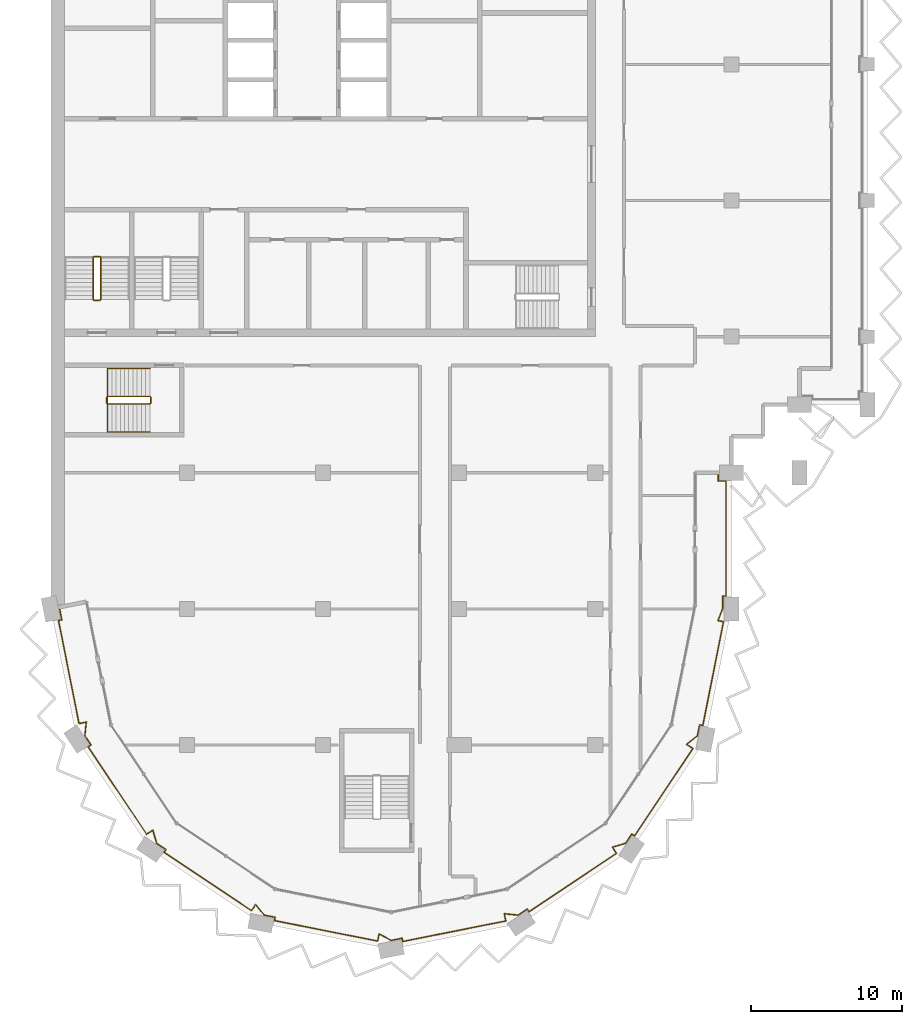
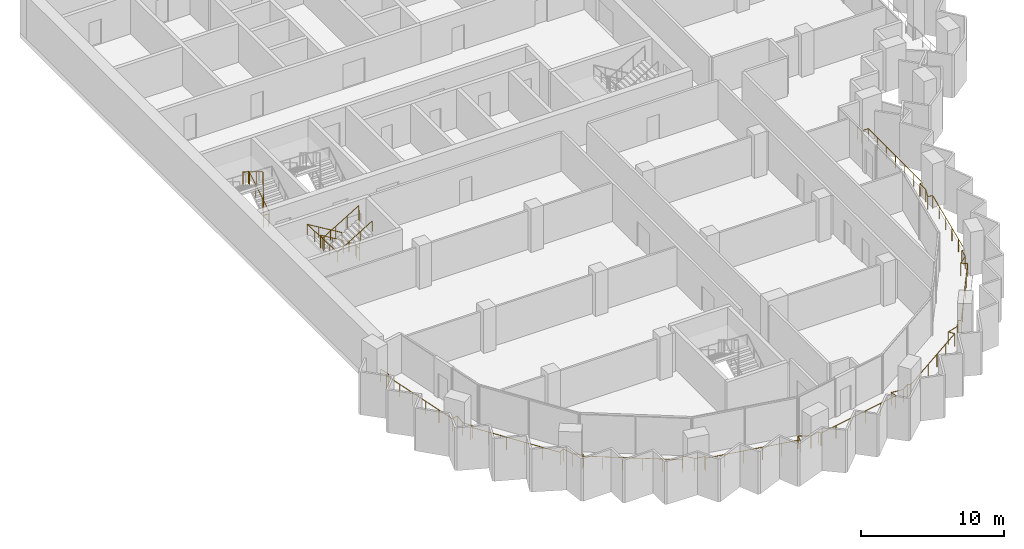
# One storey, part 13 of 15: 4 railings.
"""IFC4 building model written with IfcOpenShell, lengths in metres."""

from ifc_helpers import new_model, si_unit, direction, frame, origin, origin_2d, place, context, subcontext, project, spatial, circle, extrude, material, type_object, element, save


model = new_model("IFC4")

# Units and contexts
model_context = context("Model", 3, precision=1e-05, world=origin(), true_north=direction((0.0, 1.0)))
body_context = subcontext(model_context, "Body", "Model", "MODEL_VIEW")
ifc_project = project(units=[si_unit("LENGTHUNIT", "METRE"), si_unit("AREAUNIT", "SQUARE_METRE"), si_unit("VOLUMEUNIT", "CUBIC_METRE"), si_unit("PLANEANGLEUNIT", "RADIAN"), si_unit("MASSUNIT", "GRAM", prefix="KILO")], contexts=[model_context])

# Site, building, storey
site_placement = place(None, origin())
site = spatial("IfcSite", under=ifc_project, at=site_placement, CompositionType="ELEMENT")
building_placement = place(site_placement, origin())
building = spatial("IfcBuilding", under=site, at=building_placement, Name="Hunhe Ridgeline Campus", CompositionType="ELEMENT")
storey_placement = place(building_placement, frame((0.0, 0.0, 231.800048828125)))
storey = spatial("IfcBuildingStorey", under=building, at=storey_placement, Name="L59", CompositionType="ELEMENT", Elevation=231.800048828125)

# Railings
ifc_material_1 = material(Name="Steel Q355", Category="steel")
railing_type_1 = type_object("IfcRailingType", Name="Loggia guard 1100 Steel Q355", PredefinedType="GUARDRAIL", material=ifc_material_1)
railing_1_placement = place(storey_placement, frame((0.55908203125, 45.111083984375, 0.0)))
element("IfcRailing", 1, at=railing_1_placement, inside=storey, type_object=railing_type_1, Name="Loggia guard 1", PredefinedType="GUARDRAIL", context=body_context, shape_type="SweptSolid", body=[
    extrude(circle(Radius=0.02392578125, at=origin_2d()), frame((0.0, 0.0, 1.076171875), z_axis=(0.195066328581, -0.980790052689, 0.0), x_axis=(0.980790052689, 0.195066328581, 0.0)), (0.0, 0.0, 1.0), 0.849853515625),
    extrude(circle(Radius=0.02392578125, at=origin_2d()), frame((0.165771484375, -0.83349609375, 1.076171875), z_axis=(-0.980750988442, -0.195262640233, 0.0), x_axis=(0.195262640233, -0.980750988442, 0.0)), (0.0, 0.0, 1.0), 0.219970703125),
    extrude(circle(Radius=0.02392578125, at=origin_2d()), frame((-0.050048828125, -0.87646484375, 1.076171875), z_axis=(0.1951025318, -0.980782851647, 0.0), x_axis=(0.980782851647, 0.1951025318, 0.0)), (0.0, 0.0, 1.0), 6.94873046875),
    extrude(circle(Radius=0.02392578125, at=origin_2d()), frame((1.3056640625, -7.691650390625, 1.076171875), z_axis=(0.980791706313, 0.195058014004, 0.0), x_axis=(-0.195058014004, 0.980791706313, 0.0)), (0.0, 0.0, 1.0), 0.488037109375),
    extrude(circle(Radius=0.02392578125, at=origin_2d()), frame((1.784423828125, -7.596435546875, 1.076171875), z_axis=(-0.103312201106, -0.994648977832, 0.0), x_axis=(0.994648977832, -0.103312201106, 0.0)), (0.0, 0.0, 1.0), 0.907470703125),
    extrude(circle(Radius=0.02392578125, at=origin_2d()), frame((1.690673828125, -8.4990234375, 1.076171875), z_axis=(0.555464783965, -0.831540061437, 0.0), x_axis=(0.831540061437, 0.555464783965, 0.0)), (0.0, 0.0, 1.0), 0.736572265625),
    extrude(circle(Radius=0.02392578125, at=origin_2d()), frame((2.099853515625, -9.111572265625, 1.076171875), z_axis=(-0.831708467209, -0.555212594933, 0.0), x_axis=(0.555212594933, -0.831708467209, 0.0)), (0.0, 0.0, 1.0), 0.219970703125),
    extrude(circle(Radius=0.02392578125, at=origin_2d()), frame((1.9169921875, -9.233642578125, 1.076171875), z_axis=(0.555559363791, -0.831476874786, 0.0), x_axis=(0.831476874786, 0.555559363791, 0.0)), (0.0, 0.0, 1.0), 6.948486328125),
    extrude(circle(Radius=0.02392578125, at=origin_2d()), frame((5.77734375, -15.01123046875, 1.076171875), z_axis=(0.831588140797, 0.555392801615, 0.0), x_axis=(-0.555392801615, 0.831588140797, 0.0)), (0.0, 0.0, 1.0), 0.488037109375),
    extrude(circle(Radius=0.02392578125, at=origin_2d()), frame((6.18310546875, -14.740234375, 1.076171875), z_axis=(0.285150626135, -0.958482717849, 0.0), x_axis=(0.958482717849, 0.285150626135, 0.0)), (0.0, 0.0, 1.0), 0.907470703125),
    extrude(circle(Radius=0.02392578125, at=origin_2d()), frame((6.44189453125, -15.610107421875, 1.076171875), z_axis=(0.831540061437, -0.555464783965, 0.0), x_axis=(0.555464783965, 0.831540061437, 0.0)), (0.0, 0.0, 1.0), 0.736572265625),
    extrude(circle(Radius=0.02392578125, at=origin_2d()), frame((7.054443359375, -16.019287109375, 1.076171875), z_axis=(-0.555980009223, -0.831195662491, 0.0), x_axis=(0.831195662491, -0.555980009223, 0.0)), (0.0, 0.0, 1.0), 0.219970703125),
    extrude(circle(Radius=0.02392578125, at=origin_2d()), frame((6.93212890625, -16.2021484375, 1.076171875), z_axis=(0.831460644532, -0.555583654003, 0.0), x_axis=(0.555583654003, 0.831460644532, 0.0)), (0.0, 0.0, 1.0), 6.94873046875),
    extrude(circle(Radius=0.02392578125, at=origin_2d()), frame((12.709716796875, -20.062744140625, 1.076171875), z_axis=(0.555507638283, 0.831511433361, 0.0), x_axis=(-0.831511433361, 0.555507638283, 0.0)), (0.0, 0.0, 1.0), 0.48828125),
    extrude(circle(Radius=0.02392578125, at=origin_2d()), frame((12.98095703125, -19.65673828125, 1.076171875), z_axis=(0.630288754525, -0.776360796227, 0.0), x_axis=(0.776360796227, 0.630288754525, 0.0)), (0.0, 0.0, 1.0), 0.907470703125),
    extrude(circle(Radius=0.02392578125, at=origin_2d()), frame((13.552978515625, -20.361328125, 1.076171875), z_axis=(0.980758742397, -0.19522369019, 0.0), x_axis=(0.19522369019, 0.980758742397, 0.0)), (0.0, 0.0, 1.0), 0.736572265625),
    extrude(circle(Radius=0.02392578125, at=origin_2d()), frame((14.275390625, -20.505126953125, 1.076171875), z_axis=(-0.195262640233, -0.980750988442, 0.0), x_axis=(0.980750988442, -0.195262640233, 0.0)), (0.0, 0.0, 1.0), 0.219970703125),
    extrude(circle(Radius=0.02392578125, at=origin_2d()), frame((14.232421875, -20.720947265625, 1.076171875), z_axis=(0.980789574233, -0.195068734234, 0.0), x_axis=(0.195068734234, 0.980789574233, 0.0)), (0.0, 0.0, 1.0), 6.94873046875),
    extrude(circle(Radius=0.02392578125, at=origin_2d()), frame((21.047607421875, -22.076416015625, 1.076171875), z_axis=(0.195153744134, 0.980772662828, 0.0), x_axis=(-0.980772662828, 0.195153744134, 0.0)), (0.0, 0.0, 1.0), 0.48779296875),
    extrude(circle(Radius=0.02392578125, at=origin_2d()), frame((21.142822265625, -21.597900390625, 1.076171875), z_axis=(0.879371752487, -0.476135821934, 0.0), x_axis=(0.476135821934, 0.879371752487, 0.0)), (0.0, 0.0, 1.0), 0.907470703125),
    extrude(circle(Radius=0.02392578125, at=origin_2d()), frame((21.94091796875, -22.030029296875, 1.076171875), z_axis=(0.980758742397, 0.19522369019, 0.0), x_axis=(-0.19522369019, 0.980758742397, 0.0)), (0.0, 0.0, 1.0), 0.736572265625),
    extrude(circle(Radius=0.02392578125, at=origin_2d()), frame((22.663330078125, -21.88623046875, 1.076171875), z_axis=(0.195262640233, -0.980750988442, 0.0), x_axis=(0.980750988442, 0.195262640233, 0.0)), (0.0, 0.0, 1.0), 0.219970703125),
    extrude(circle(Radius=0.02392578125, at=origin_2d()), frame((22.706298828125, -22.10205078125, 1.076171875), z_axis=(0.980782851647, 0.1951025318, 0.0), x_axis=(-0.1951025318, 0.980782851647, 0.0)), (0.0, 0.0, 1.0), 6.94873046875),
    extrude(circle(Radius=0.02392578125, at=origin_2d()), frame((29.521484375, -20.746337890625, 1.076171875), z_axis=(-0.195058014004, 0.980791706313, 0.0), x_axis=(-0.980791706313, -0.195058014004, 0.0)), (0.0, 0.0, 1.0), 0.488037109375),
    extrude(circle(Radius=0.02392578125, at=origin_2d()), frame((29.42626953125, -20.267578125, 1.076171875), z_axis=(0.994648977832, -0.103312201106, 0.0), x_axis=(0.103312201106, 0.994648977832, 0.0)), (0.0, 0.0, 1.0), 0.907470703125),
    extrude(circle(Radius=0.02392578125, at=origin_2d()), frame((30.328857421875, -20.361328125, 1.076171875), z_axis=(0.831540061437, 0.555464783965, 0.0), x_axis=(-0.555464783965, 0.831540061437, 0.0)), (0.0, 0.0, 1.0), 0.736572265625),
    extrude(circle(Radius=0.02392578125, at=origin_2d()), frame((30.94140625, -19.9521484375, 1.076171875), z_axis=(0.555212594933, -0.831708467209, 0.0), x_axis=(0.831708467209, 0.555212594933, 0.0)), (0.0, 0.0, 1.0), 0.219970703125),
    extrude(circle(Radius=0.02392578125, at=origin_2d()), frame((31.0634765625, -20.135009765625, 1.076171875), z_axis=(0.831476874786, 0.555559363791, 0.0), x_axis=(-0.555559363791, 0.831476874786, 0.0)), (0.0, 0.0, 1.0), 6.948486328125),
    extrude(circle(Radius=0.02392578125, at=origin_2d()), frame((36.841064453125, -16.274658203125, 1.076171875), z_axis=(-0.555392801615, 0.831588140797, 0.0), x_axis=(-0.831588140797, -0.555392801615, 0.0)), (0.0, 0.0, 1.0), 0.488037109375),
    extrude(circle(Radius=0.02392578125, at=origin_2d()), frame((36.570068359375, -15.868896484375, 1.076171875), z_axis=(0.958482717849, 0.285150626135, 0.0), x_axis=(-0.285150626135, 0.958482717849, 0.0)), (0.0, 0.0, 1.0), 0.907470703125),
    extrude(circle(Radius=0.02392578125, at=origin_2d()), frame((37.43994140625, -15.610107421875, 1.076171875), z_axis=(0.555464783965, 0.831540061437, 0.0), x_axis=(-0.831540061437, 0.555464783965, 0.0)), (0.0, 0.0, 1.0), 0.736572265625),
    extrude(circle(Radius=0.02392578125, at=origin_2d()), frame((37.84912109375, -14.99755859375, 1.076171875), z_axis=(0.831195662491, -0.555980009223, 0.0), x_axis=(0.555980009223, 0.831195662491, 0.0)), (0.0, 0.0, 1.0), 0.219970703125),
    extrude(circle(Radius=0.02392578125, at=origin_2d()), frame((38.031982421875, -15.119873046875, 1.076171875), z_axis=(0.555583654003, 0.831460644532, 0.0), x_axis=(-0.831460644532, 0.555583654003, 0.0)), (0.0, 0.0, 1.0), 6.94873046875),
    extrude(circle(Radius=0.02392578125, at=origin_2d()), frame((41.892578125, -9.34228515625, 1.076171875), z_axis=(-0.831511433361, 0.555507638283, 0.0), x_axis=(-0.555507638283, -0.831511433361, 0.0)), (0.0, 0.0, 1.0), 0.48828125),
    extrude(circle(Radius=0.02392578125, at=origin_2d()), frame((41.486572265625, -9.071044921875, 1.076171875), z_axis=(0.776360796227, 0.630288754525, 0.0), x_axis=(-0.630288754525, 0.776360796227, 0.0)), (0.0, 0.0, 1.0), 0.907470703125),
    extrude(circle(Radius=0.02392578125, at=origin_2d()), frame((42.191162109375, -8.4990234375, 1.076171875), z_axis=(0.19522369019, 0.980758742397, 0.0), x_axis=(-0.980758742397, 0.19522369019, 0.0)), (0.0, 0.0, 1.0), 0.736572265625),
    extrude(circle(Radius=0.02392578125, at=origin_2d()), frame((42.3349609375, -7.776611328125, 1.076171875), z_axis=(0.980750988442, -0.195262640233, 0.0), x_axis=(0.195262640233, 0.980750988442, 0.0)), (0.0, 0.0, 1.0), 0.219970703125),
    extrude(circle(Radius=0.02392578125, at=origin_2d()), frame((42.55078125, -7.819580078125, 1.076171875), z_axis=(0.195082678264, 0.980786800809, 0.0), x_axis=(-0.980786800809, 0.195082678264, 0.0)), (0.0, 0.0, 1.0), 6.9970703125),
    extrude(circle(Radius=0.02392578125, at=origin_2d()), frame((43.915771484375, -0.95703125, 1.076171875), z_axis=(-0.980759647752, 0.195219141842, 0.0), x_axis=(-0.195219141842, -0.980759647752, 0.0)), (0.0, 0.0, 1.0), 0.366455078125),
    extrude(circle(Radius=0.02392578125, at=origin_2d()), frame((43.556396484375, -0.885498046875, 1.076171875), z_axis=(0.354074070723, 0.935217382453, 0.0), x_axis=(-0.935217382453, 0.354074070723, 0.0)), (0.0, 0.0, 1.0), 0.88818359375),
    extrude(circle(Radius=0.02392578125, at=origin_2d()), frame((43.870849609375, -0.054931640625, 1.076171875), z_axis=(0.0, 1.0, 0.0), x_axis=(-1.0, 0.0, 0.0)), (0.0, 0.0, 1.0), 0.7939453125),
    extrude(circle(Radius=0.02392578125, at=origin_2d()), frame((43.870849609375, 0.739013671875, 1.076171875), z_axis=(1.0, 0.0, 0.0), x_axis=(0.0, 1.0, 0.0)), (0.0, 0.0, 1.0), 0.219970703125),
    extrude(circle(Radius=0.02392578125, at=origin_2d()), frame((44.0908203125, 0.739013671875, 1.076171875), z_axis=(0.0, 1.0, 0.0), x_axis=(-1.0, 0.0, 0.0)), (0.0, 0.0, 1.0), 7.599853515625),
    extrude(circle(Radius=0.02392578125, at=origin_2d()), frame((44.0908203125, 8.3388671875, 1.076171875), z_axis=(-1.0, 0.0, 0.0), x_axis=(0.0, -1.0, 0.0)), (0.0, 0.0, 1.0), 0.52001953125),
    extrude(circle(Radius=0.02392578125, at=origin_2d()), frame((43.57080078125, 8.3388671875, 1.076171875), z_axis=(0.0, 1.0, 0.0), x_axis=(-1.0, 0.0, 0.0)), (0.0, 0.0, 1.0), 0.550048828125),
    extrude(circle(Radius=0.02099609375, at=origin_2d()), origin(), (0.0, 0.0, 1.0), 1.052001953125),
    extrude(circle(Radius=0.02099609375, at=origin_2d()), frame((0.165771484375, -0.83349609375, 0.0)), (0.0, 0.0, 1.0), 1.052001953125),
    extrude(circle(Radius=0.02099609375, at=origin_2d()), frame((-0.050048828125, -0.87646484375, 0.0)), (0.0, 0.0, 1.0), 1.052001953125),
    extrude(circle(Radius=0.02099609375, at=origin_2d()), frame((0.22119140625, -2.239501953125, 0.0)), (0.0, 0.0, 1.0), 1.052001953125),
    extrude(circle(Radius=0.02099609375, at=origin_2d()), frame((0.4921875, -3.6025390625, 0.0)), (0.0, 0.0, 1.0), 1.052001953125),
    extrude(circle(Radius=0.02099609375, at=origin_2d()), frame((0.763427734375, -4.965576171875, 0.0)), (0.0, 0.0, 1.0), 1.052001953125),
    extrude(circle(Radius=0.02099609375, at=origin_2d()), frame((1.034423828125, -6.32861328125, 0.0)), (0.0, 0.0, 1.0), 1.052001953125),
    extrude(circle(Radius=0.02099609375, at=origin_2d()), frame((1.3056640625, -7.691650390625, 0.0)), (0.0, 0.0, 1.0), 1.052001953125),
    extrude(circle(Radius=0.02099609375, at=origin_2d()), frame((1.784423828125, -7.596435546875, 0.0)), (0.0, 0.0, 1.0), 1.052001953125),
    extrude(circle(Radius=0.02099609375, at=origin_2d()), frame((1.690673828125, -8.4990234375, 0.0)), (0.0, 0.0, 1.0), 1.052001953125),
    extrude(circle(Radius=0.02099609375, at=origin_2d()), frame((2.099853515625, -9.111572265625, 0.0)), (0.0, 0.0, 1.0), 1.052001953125),
    extrude(circle(Radius=0.02099609375, at=origin_2d()), frame((1.9169921875, -9.233642578125, 0.0)), (0.0, 0.0, 1.0), 1.052001953125),
    extrude(circle(Radius=0.02099609375, at=origin_2d()), frame((2.68896484375, -10.38916015625, 0.0)), (0.0, 0.0, 1.0), 1.052001953125),
    extrude(circle(Radius=0.02099609375, at=origin_2d()), frame((3.461181640625, -11.544677734375, 0.0)), (0.0, 0.0, 1.0), 1.052001953125),
    extrude(circle(Radius=0.02099609375, at=origin_2d()), frame((4.233154296875, -12.7001953125, 0.0)), (0.0, 0.0, 1.0), 1.052001953125),
    extrude(circle(Radius=0.02099609375, at=origin_2d()), frame((5.00537109375, -13.855712890625, 0.0)), (0.0, 0.0, 1.0), 1.052001953125),
    extrude(circle(Radius=0.02099609375, at=origin_2d()), frame((5.77734375, -15.01123046875, 0.0)), (0.0, 0.0, 1.0), 1.052001953125),
    extrude(circle(Radius=0.02099609375, at=origin_2d()), frame((6.18310546875, -14.740234375, 0.0)), (0.0, 0.0, 1.0), 1.052001953125),
    extrude(circle(Radius=0.02099609375, at=origin_2d()), frame((6.44189453125, -15.610107421875, 0.0)), (0.0, 0.0, 1.0), 1.052001953125),
    extrude(circle(Radius=0.02099609375, at=origin_2d()), frame((7.054443359375, -16.019287109375, 0.0)), (0.0, 0.0, 1.0), 1.052001953125),
    extrude(circle(Radius=0.02099609375, at=origin_2d()), frame((6.93212890625, -16.2021484375, 0.0)), (0.0, 0.0, 1.0), 1.052001953125),
    extrude(circle(Radius=0.02099609375, at=origin_2d()), frame((8.087646484375, -16.974365234375, 0.0)), (0.0, 0.0, 1.0), 1.052001953125),
    extrude(circle(Radius=0.02099609375, at=origin_2d()), frame((9.2431640625, -17.746337890625, 0.0)), (0.0, 0.0, 1.0), 1.052001953125),
    extrude(circle(Radius=0.02099609375, at=origin_2d()), frame((10.398681640625, -18.5185546875, 0.0)), (0.0, 0.0, 1.0), 1.052001953125),
    extrude(circle(Radius=0.02099609375, at=origin_2d()), frame((11.55419921875, -19.29052734375, 0.0)), (0.0, 0.0, 1.0), 1.052001953125),
    extrude(circle(Radius=0.02099609375, at=origin_2d()), frame((12.709716796875, -20.062744140625, 0.0)), (0.0, 0.0, 1.0), 1.052001953125),
    extrude(circle(Radius=0.02099609375, at=origin_2d()), frame((12.98095703125, -19.65673828125, 0.0)), (0.0, 0.0, 1.0), 1.052001953125),
    extrude(circle(Radius=0.02099609375, at=origin_2d()), frame((13.552978515625, -20.361328125, 0.0)), (0.0, 0.0, 1.0), 1.052001953125),
    extrude(circle(Radius=0.02099609375, at=origin_2d()), frame((14.275390625, -20.505126953125, 0.0)), (0.0, 0.0, 1.0), 1.052001953125),
    extrude(circle(Radius=0.02099609375, at=origin_2d()), frame((14.232421875, -20.720947265625, 0.0)), (0.0, 0.0, 1.0), 1.052001953125),
    extrude(circle(Radius=0.02099609375, at=origin_2d()), frame((15.595458984375, -20.991943359375, 0.0)), (0.0, 0.0, 1.0), 1.052001953125),
    extrude(circle(Radius=0.02099609375, at=origin_2d()), frame((16.95849609375, -21.26318359375, 0.0)), (0.0, 0.0, 1.0), 1.052001953125),
    extrude(circle(Radius=0.02099609375, at=origin_2d()), frame((18.321533203125, -21.5341796875, 0.0)), (0.0, 0.0, 1.0), 1.052001953125),
    extrude(circle(Radius=0.02099609375, at=origin_2d()), frame((19.6845703125, -21.805419921875, 0.0)), (0.0, 0.0, 1.0), 1.052001953125),
    extrude(circle(Radius=0.02099609375, at=origin_2d()), frame((21.047607421875, -22.076416015625, 0.0)), (0.0, 0.0, 1.0), 1.052001953125),
    extrude(circle(Radius=0.02099609375, at=origin_2d()), frame((21.142822265625, -21.597900390625, 0.0)), (0.0, 0.0, 1.0), 1.052001953125),
    extrude(circle(Radius=0.02099609375, at=origin_2d()), frame((21.94091796875, -22.030029296875, 0.0)), (0.0, 0.0, 1.0), 1.052001953125),
    extrude(circle(Radius=0.02099609375, at=origin_2d()), frame((22.663330078125, -21.88623046875, 0.0)), (0.0, 0.0, 1.0), 1.052001953125),
    extrude(circle(Radius=0.02099609375, at=origin_2d()), frame((22.706298828125, -22.10205078125, 0.0)), (0.0, 0.0, 1.0), 1.052001953125),
    extrude(circle(Radius=0.02099609375, at=origin_2d()), frame((24.0693359375, -21.830810546875, 0.0)), (0.0, 0.0, 1.0), 1.052001953125),
    extrude(circle(Radius=0.02099609375, at=origin_2d()), frame((25.432373046875, -21.559814453125, 0.0)), (0.0, 0.0, 1.0), 1.052001953125),
    extrude(circle(Radius=0.02099609375, at=origin_2d()), frame((26.79541015625, -21.28857421875, 0.0)), (0.0, 0.0, 1.0), 1.052001953125),
    extrude(circle(Radius=0.02099609375, at=origin_2d()), frame((28.158447265625, -21.017578125, 0.0)), (0.0, 0.0, 1.0), 1.052001953125),
    extrude(circle(Radius=0.02099609375, at=origin_2d()), frame((29.521484375, -20.746337890625, 0.0)), (0.0, 0.0, 1.0), 1.052001953125),
    extrude(circle(Radius=0.02099609375, at=origin_2d()), frame((29.42626953125, -20.267578125, 0.0)), (0.0, 0.0, 1.0), 1.052001953125),
    extrude(circle(Radius=0.02099609375, at=origin_2d()), frame((30.328857421875, -20.361328125, 0.0)), (0.0, 0.0, 1.0), 1.052001953125),
    extrude(circle(Radius=0.02099609375, at=origin_2d()), frame((30.94140625, -19.9521484375, 0.0)), (0.0, 0.0, 1.0), 1.052001953125),
    extrude(circle(Radius=0.02099609375, at=origin_2d()), frame((31.0634765625, -20.135009765625, 0.0)), (0.0, 0.0, 1.0), 1.052001953125),
    extrude(circle(Radius=0.02099609375, at=origin_2d()), frame((32.218994140625, -19.363037109375, 0.0)), (0.0, 0.0, 1.0), 1.052001953125),
    extrude(circle(Radius=0.02099609375, at=origin_2d()), frame((33.37451171875, -18.5908203125, 0.0)), (0.0, 0.0, 1.0), 1.052001953125),
    extrude(circle(Radius=0.02099609375, at=origin_2d()), frame((34.530029296875, -17.81884765625, 0.0)), (0.0, 0.0, 1.0), 1.052001953125),
    extrude(circle(Radius=0.02099609375, at=origin_2d()), frame((35.685546875, -17.046630859375, 0.0)), (0.0, 0.0, 1.0), 1.052001953125),
    extrude(circle(Radius=0.02099609375, at=origin_2d()), frame((36.841064453125, -16.274658203125, 0.0)), (0.0, 0.0, 1.0), 1.052001953125),
    extrude(circle(Radius=0.02099609375, at=origin_2d()), frame((36.570068359375, -15.868896484375, 0.0)), (0.0, 0.0, 1.0), 1.052001953125),
    extrude(circle(Radius=0.02099609375, at=origin_2d()), frame((37.43994140625, -15.610107421875, 0.0)), (0.0, 0.0, 1.0), 1.052001953125),
    extrude(circle(Radius=0.02099609375, at=origin_2d()), frame((37.84912109375, -14.99755859375, 0.0)), (0.0, 0.0, 1.0), 1.052001953125),
    extrude(circle(Radius=0.02099609375, at=origin_2d()), frame((38.031982421875, -15.119873046875, 0.0)), (0.0, 0.0, 1.0), 1.052001953125),
    extrude(circle(Radius=0.02099609375, at=origin_2d()), frame((38.80419921875, -13.96435546875, 0.0)), (0.0, 0.0, 1.0), 1.052001953125),
    extrude(circle(Radius=0.02099609375, at=origin_2d()), frame((39.576171875, -12.808837890625, 0.0)), (0.0, 0.0, 1.0), 1.052001953125),
    extrude(circle(Radius=0.02099609375, at=origin_2d()), frame((40.348388671875, -11.6533203125, 0.0)), (0.0, 0.0, 1.0), 1.052001953125),
    extrude(circle(Radius=0.02099609375, at=origin_2d()), frame((41.120361328125, -10.497802734375, 0.0)), (0.0, 0.0, 1.0), 1.052001953125),
    extrude(circle(Radius=0.02099609375, at=origin_2d()), frame((41.892578125, -9.34228515625, 0.0)), (0.0, 0.0, 1.0), 1.052001953125),
    extrude(circle(Radius=0.02099609375, at=origin_2d()), frame((41.486572265625, -9.071044921875, 0.0)), (0.0, 0.0, 1.0), 1.052001953125),
    extrude(circle(Radius=0.02099609375, at=origin_2d()), frame((42.191162109375, -8.4990234375, 0.0)), (0.0, 0.0, 1.0), 1.052001953125),
    extrude(circle(Radius=0.02099609375, at=origin_2d()), frame((42.3349609375, -7.776611328125, 0.0)), (0.0, 0.0, 1.0), 1.052001953125),
    extrude(circle(Radius=0.02099609375, at=origin_2d()), frame((42.55078125, -7.819580078125, 0.0)), (0.0, 0.0, 1.0), 1.052001953125),
    extrude(circle(Radius=0.02099609375, at=origin_2d()), frame((42.82373046875, -6.447021484375, 0.0)), (0.0, 0.0, 1.0), 1.052001953125),
    extrude(circle(Radius=0.02099609375, at=origin_2d()), frame((43.0966796875, -5.074462890625, 0.0)), (0.0, 0.0, 1.0), 1.052001953125),
    extrude(circle(Radius=0.02099609375, at=origin_2d()), frame((43.369873046875, -3.7021484375, 0.0)), (0.0, 0.0, 1.0), 1.052001953125),
    extrude(circle(Radius=0.02099609375, at=origin_2d()), frame((43.642822265625, -2.32958984375, 0.0)), (0.0, 0.0, 1.0), 1.052001953125),
    extrude(circle(Radius=0.02099609375, at=origin_2d()), frame((43.915771484375, -0.95703125, 0.0)), (0.0, 0.0, 1.0), 1.052001953125),
    extrude(circle(Radius=0.02099609375, at=origin_2d()), frame((43.556396484375, -0.885498046875, 0.0)), (0.0, 0.0, 1.0), 1.052001953125),
    extrude(circle(Radius=0.02099609375, at=origin_2d()), frame((43.870849609375, -0.054931640625, 0.0)), (0.0, 0.0, 1.0), 1.052001953125),
    extrude(circle(Radius=0.02099609375, at=origin_2d()), frame((43.870849609375, 0.739013671875, 0.0)), (0.0, 0.0, 1.0), 1.052001953125),
    extrude(circle(Radius=0.02099609375, at=origin_2d()), frame((44.0908203125, 0.739013671875, 0.0)), (0.0, 0.0, 1.0), 1.052001953125),
    extrude(circle(Radius=0.02099609375, at=origin_2d()), frame((44.0908203125, 2.005615234375, 0.0)), (0.0, 0.0, 1.0), 1.052001953125),
    extrude(circle(Radius=0.02099609375, at=origin_2d()), frame((44.0908203125, 3.272216796875, 0.0)), (0.0, 0.0, 1.0), 1.052001953125),
    extrude(circle(Radius=0.02099609375, at=origin_2d()), frame((44.0908203125, 4.5390625, 0.0)), (0.0, 0.0, 1.0), 1.052001953125),
    extrude(circle(Radius=0.02099609375, at=origin_2d()), frame((44.0908203125, 5.8056640625, 0.0)), (0.0, 0.0, 1.0), 1.052001953125),
    extrude(circle(Radius=0.02099609375, at=origin_2d()), frame((44.0908203125, 7.072265625, 0.0)), (0.0, 0.0, 1.0), 1.052001953125),
    extrude(circle(Radius=0.02099609375, at=origin_2d()), frame((44.0908203125, 8.3388671875, 0.0)), (0.0, 0.0, 1.0), 1.052001953125),
    extrude(circle(Radius=0.02099609375, at=origin_2d()), frame((43.57080078125, 8.3388671875, 0.0)), (0.0, 0.0, 1.0), 1.052001953125),
    extrude(circle(Radius=0.02099609375, at=origin_2d()), frame((43.57080078125, 8.888916015625, 0.0)), (0.0, 0.0, 1.0), 1.052001953125),
])
ifc_material_2 = material(Name="Stainless steel balustrade", Category="steel")
railing_type_2 = type_object("IfcRailingType", Name="Stair guard 1100 stainless", PredefinedType="GUARDRAIL", material=ifc_material_2)
railing_2_placement = place(storey_placement, frame((3.300048828125, 65.449951171875, 0.168212890625)))
element("IfcRailing", 2, at=railing_2_placement, inside=storey, type_object=railing_type_2, Name="L59 stair S3 guard", PredefinedType="GUARDRAIL", context=body_context, shape_type="SweptSolid", body=[
    extrude(circle(Radius=0.02392578125, at=origin_2d()), frame((0.0, 0.0, 1.076171875), z_axis=(0.0, 0.857275202839, 0.514858452973), x_axis=(-1.0, 0.0, 0.0)), (0.0, 0.0, 1.0), 3.26611328125),
    extrude(circle(Radius=0.02392578125, at=origin_2d()), frame((0.0, 2.800048828125, 2.7578125), z_axis=(-0.707106781187, 0.707106781187, 0.0), x_axis=(-0.707106781187, -0.707106781187, 0.0)), (0.0, 0.0, 1.0), 0.07080078125),
    extrude(circle(Radius=0.02392578125, at=origin_2d()), frame((-0.050048828125, 2.85009765625, 2.7578125), z_axis=(-1.0, 0.0, 0.0), x_axis=(0.0, -1.0, 0.0)), (0.0, 0.0, 1.0), 0.39990234375),
    extrude(circle(Radius=0.02392578125, at=origin_2d()), frame((-0.449951171875, 2.85009765625, 2.7578125), z_axis=(-0.274243871929, -0.274243871929, 0.92172696468), x_axis=(0.707106781187, -0.707106781187, 0.0)), (0.0, 0.0, 1.0), 0.1826171875),
    extrude(circle(Radius=0.02392578125, at=origin_2d()), frame((-0.5, 2.800048828125, 2.92578125), z_axis=(0.0, -0.857242210791, 0.514913383045), x_axis=(1.0, 0.0, 0.0)), (0.0, 0.0, 1.0), 3.266357421875),
    extrude(circle(Radius=0.02392578125, at=origin_2d()), frame((-0.5, 0.0, 4.60791015625), z_axis=(0.013524414389, -0.013524414389, -0.999817073484), x_axis=(0.707106781187, 0.707106781187, 0.0)), (0.0, 0.0, 1.0), 3.70068359375),
    extrude(circle(Radius=0.02392578125, at=origin_2d()), frame((-0.449951171875, -0.050048828125, 0.90771484375), z_axis=(1.0, 0.0, 0.0), x_axis=(0.0, 1.0, 0.0)), (0.0, 0.0, 1.0), 0.39990234375),
    extrude(circle(Radius=0.02099609375, at=origin_2d()), origin(), (0.0, 0.0, 1.0), 1.052001953125),
    extrude(circle(Radius=0.02099609375, at=origin_2d()), frame((0.0, 0.933349609375, 0.560546875)), (0.0, 0.0, 1.0), 1.052001953125),
    extrude(circle(Radius=0.02099609375, at=origin_2d()), frame((0.0, 1.86669921875, 1.12109375)), (0.0, 0.0, 1.0), 1.052001953125),
    extrude(circle(Radius=0.02099609375, at=origin_2d()), frame((0.0, 2.800048828125, 1.681640625)), (0.0, 0.0, 1.0), 1.052001953125),
    extrude(circle(Radius=0.02099609375, at=origin_2d()), frame((-0.050048828125, 2.85009765625, 1.681640625)), (0.0, 0.0, 1.0), 1.052001953125),
    extrude(circle(Radius=0.02099609375, at=origin_2d()), frame((-0.449951171875, 2.85009765625, 1.681640625)), (0.0, 0.0, 1.0), 1.052001953125),
    extrude(circle(Radius=0.02099609375, at=origin_2d()), frame((-0.5, 2.800048828125, 1.849853515625)), (0.0, 0.0, 1.0), 1.052001953125),
    extrude(circle(Radius=0.02099609375, at=origin_2d()), frame((-0.5, 1.86669921875, 2.410400390625)), (0.0, 0.0, 1.0), 1.052001953125),
    extrude(circle(Radius=0.02099609375, at=origin_2d()), frame((-0.5, 0.933349609375, 2.97119140625)), (0.0, 0.0, 1.0), 1.052001953125),
    extrude(circle(Radius=0.02099609375, at=origin_2d()), frame((-0.5, 0.0, 3.53173828125)), (0.0, 0.0, 1.0), 1.052001953125),
    extrude(circle(Radius=0.02099609375, at=origin_2d()), frame((-0.487548828125, -0.012451171875, 2.606689453125)), (0.0, 0.0, 1.0), 1.052001953125),
    extrude(circle(Radius=0.02099609375, at=origin_2d()), frame((-0.47509765625, -0.02490234375, 1.681640625)), (0.0, 0.0, 1.0), 1.052001953125),
    extrude(circle(Radius=0.02099609375, at=origin_2d()), frame((-0.46240234375, -0.03759765625, 0.7568359375)), (0.0, 0.0, 1.0), 1.052001953125),
    extrude(circle(Radius=0.02099609375, at=origin_2d()), frame((-0.449951171875, -0.050048828125, -0.168212890625)), (0.0, 0.0, 1.0), 1.052001953125),
    extrude(circle(Radius=0.02099609375, at=origin_2d()), frame((-0.050048828125, -0.050048828125, -0.168212890625)), (0.0, 0.0, 1.0), 1.052001953125),
])
railing_3_placement = place(storey_placement, frame((6.550048828125, 59.050048828125, 0.168212890625)))
element("IfcRailing", 3, at=railing_3_placement, inside=storey, type_object=railing_type_2, Name="L59 stair W2 guard", PredefinedType="GUARDRAIL", context=body_context, shape_type="SweptSolid", body=[
    extrude(circle(Radius=0.02392578125, at=origin_2d()), frame((0.0, 0.0, 1.076171875), z_axis=(-0.857275202839, 0.0, 0.514858452973), x_axis=(0.0, -1.0, 0.0)), (0.0, 0.0, 1.0), 3.26611328125),
    extrude(circle(Radius=0.02392578125, at=origin_2d()), frame((-2.800048828125, 0.0, 2.7578125), z_axis=(-0.707106781187, -0.707106781187, 0.0), x_axis=(0.707106781187, -0.707106781187, 0.0)), (0.0, 0.0, 1.0), 0.07080078125),
    extrude(circle(Radius=0.02392578125, at=origin_2d()), frame((-2.85009765625, -0.050048828125, 2.7578125), z_axis=(0.0, -1.0, 0.0), x_axis=(1.0, 0.0, 0.0)), (0.0, 0.0, 1.0), 0.39990234375),
    extrude(circle(Radius=0.02392578125, at=origin_2d()), frame((-2.85009765625, -0.449951171875, 2.7578125), z_axis=(0.274243871929, -0.274243871929, 0.92172696468), x_axis=(0.707106781187, 0.707106781187, 0.0)), (0.0, 0.0, 1.0), 0.1826171875),
    extrude(circle(Radius=0.02392578125, at=origin_2d()), frame((-2.800048828125, -0.5, 2.92578125), z_axis=(0.857242210791, 0.0, 0.514913383045), x_axis=(0.0, 1.0, 0.0)), (0.0, 0.0, 1.0), 3.266357421875),
    extrude(circle(Radius=0.02392578125, at=origin_2d()), frame((0.0, -0.5, 4.60791015625), z_axis=(0.013524414389, 0.013524414389, -0.999817073484), x_axis=(-0.707106781187, 0.707106781187, 0.0)), (0.0, 0.0, 1.0), 3.70068359375),
    extrude(circle(Radius=0.02392578125, at=origin_2d()), frame((0.050048828125, -0.449951171875, 0.90771484375), z_axis=(0.0, 1.0, 0.0), x_axis=(-1.0, 0.0, 0.0)), (0.0, 0.0, 1.0), 0.39990234375),
    extrude(circle(Radius=0.02099609375, at=origin_2d()), origin(), (0.0, 0.0, 1.0), 1.052001953125),
    extrude(circle(Radius=0.02099609375, at=origin_2d()), frame((-0.933349609375, 0.0, 0.560546875)), (0.0, 0.0, 1.0), 1.052001953125),
    extrude(circle(Radius=0.02099609375, at=origin_2d()), frame((-1.86669921875, 0.0, 1.12109375)), (0.0, 0.0, 1.0), 1.052001953125),
    extrude(circle(Radius=0.02099609375, at=origin_2d()), frame((-2.800048828125, 0.0, 1.681640625)), (0.0, 0.0, 1.0), 1.052001953125),
    extrude(circle(Radius=0.02099609375, at=origin_2d()), frame((-2.85009765625, -0.050048828125, 1.681640625)), (0.0, 0.0, 1.0), 1.052001953125),
    extrude(circle(Radius=0.02099609375, at=origin_2d()), frame((-2.85009765625, -0.449951171875, 1.681640625)), (0.0, 0.0, 1.0), 1.052001953125),
    extrude(circle(Radius=0.02099609375, at=origin_2d()), frame((-2.800048828125, -0.5, 1.849853515625)), (0.0, 0.0, 1.0), 1.052001953125),
    extrude(circle(Radius=0.02099609375, at=origin_2d()), frame((-1.86669921875, -0.5, 2.410400390625)), (0.0, 0.0, 1.0), 1.052001953125),
    extrude(circle(Radius=0.02099609375, at=origin_2d()), frame((-0.933349609375, -0.5, 2.97119140625)), (0.0, 0.0, 1.0), 1.052001953125),
    extrude(circle(Radius=0.02099609375, at=origin_2d()), frame((0.0, -0.5, 3.53173828125)), (0.0, 0.0, 1.0), 1.052001953125),
    extrude(circle(Radius=0.02099609375, at=origin_2d()), frame((0.012451171875, -0.487548828125, 2.606689453125)), (0.0, 0.0, 1.0), 1.052001953125),
    extrude(circle(Radius=0.02099609375, at=origin_2d()), frame((0.02490234375, -0.47509765625, 1.681640625)), (0.0, 0.0, 1.0), 1.052001953125),
    extrude(circle(Radius=0.02099609375, at=origin_2d()), frame((0.03759765625, -0.46240234375, 0.7568359375)), (0.0, 0.0, 1.0), 1.052001953125),
    extrude(circle(Radius=0.02099609375, at=origin_2d()), frame((0.050048828125, -0.449951171875, -0.168212890625)), (0.0, 0.0, 1.0), 1.052001953125),
    extrude(circle(Radius=0.02099609375, at=origin_2d()), frame((0.050048828125, -0.050048828125, -0.168212890625)), (0.0, 0.0, 1.0), 1.052001953125),
])
ifc_material_3 = material(Name="Stainless steel handrail", Category="steel")
railing_type_3 = type_object("IfcRailingType", Name="Stair handrail 900 stainless", PredefinedType="HANDRAIL", material=ifc_material_3)
railing_4_placement = place(storey_placement, frame((6.550048828125, 60.89990234375, 0.168212890625)))
element("IfcRailing", 4, at=railing_4_placement, inside=storey, type_object=railing_type_3, Name="L59 stair W2 handrail", PredefinedType="HANDRAIL", context=body_context, shape_type="SweptSolid", body=[
    extrude(circle(Radius=0.02392578125, at=origin_2d()), frame((0.0, 0.0, 0.8759765625), z_axis=(-0.857275202839, 0.0, 0.514858452973), x_axis=(0.0, -1.0, 0.0)), (0.0, 0.0, 1.0), 3.26611328125),
    extrude(circle(Radius=0.02392578125, at=origin_2d()), frame((-2.800048828125, 0.0, 2.5576171875), z_axis=(0.0, -0.999198916169, 0.040019069537), x_axis=(1.0, 0.0, 0.0)), (0.0, 0.0, 1.0), 4.203369140625),
    extrude(circle(Radius=0.02392578125, at=origin_2d()), frame((-2.800048828125, -4.199951171875, 2.7255859375), z_axis=(0.857242210791, 0.0, 0.514913383045), x_axis=(0.0, 1.0, 0.0)), (0.0, 0.0, 1.0), 3.266357421875),
    extrude(circle(Radius=0.02099609375, at=origin_2d()), origin(), (0.0, 0.0, 1.0), 0.851806640625),
    extrude(circle(Radius=0.02099609375, at=origin_2d()), frame((-0.933349609375, 0.0, 0.560546875)), (0.0, 0.0, 1.0), 0.851806640625),
    extrude(circle(Radius=0.02099609375, at=origin_2d()), frame((-1.86669921875, 0.0, 1.12109375)), (0.0, 0.0, 1.0), 0.851806640625),
    extrude(circle(Radius=0.02099609375, at=origin_2d()), frame((-2.800048828125, 0.0, 1.681640625)), (0.0, 0.0, 1.0), 0.851806640625),
    extrude(circle(Radius=0.02099609375, at=origin_2d()), frame((-2.800048828125, -1.050048828125, 1.7236328125)), (0.0, 0.0, 1.0), 0.851806640625),
    extrude(circle(Radius=0.02099609375, at=origin_2d()), frame((-2.800048828125, -2.10009765625, 1.765625)), (0.0, 0.0, 1.0), 0.851806640625),
    extrude(circle(Radius=0.02099609375, at=origin_2d()), frame((-2.800048828125, -3.14990234375, 1.807861328125)), (0.0, 0.0, 1.0), 0.851806640625),
    extrude(circle(Radius=0.02099609375, at=origin_2d()), frame((-2.800048828125, -4.199951171875, 1.849853515625)), (0.0, 0.0, 1.0), 0.851806640625),
    extrude(circle(Radius=0.02099609375, at=origin_2d()), frame((-1.86669921875, -4.199951171875, 2.410400390625)), (0.0, 0.0, 1.0), 0.851806640625),
    extrude(circle(Radius=0.02099609375, at=origin_2d()), frame((-0.933349609375, -4.199951171875, 2.97119140625)), (0.0, 0.0, 1.0), 0.851806640625),
    extrude(circle(Radius=0.02099609375, at=origin_2d()), frame((0.0, -4.199951171875, 3.53173828125)), (0.0, 0.0, 1.0), 0.851806640625),
])

save(model, "model.ifc")
